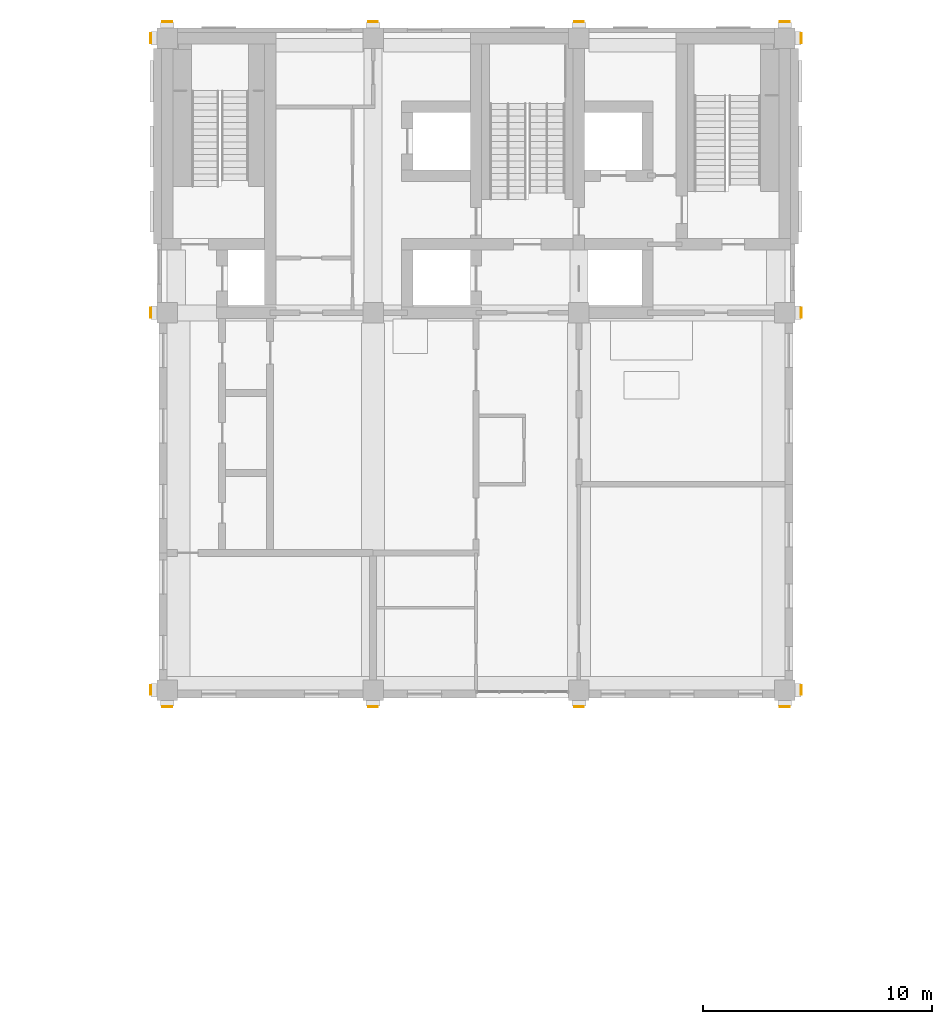
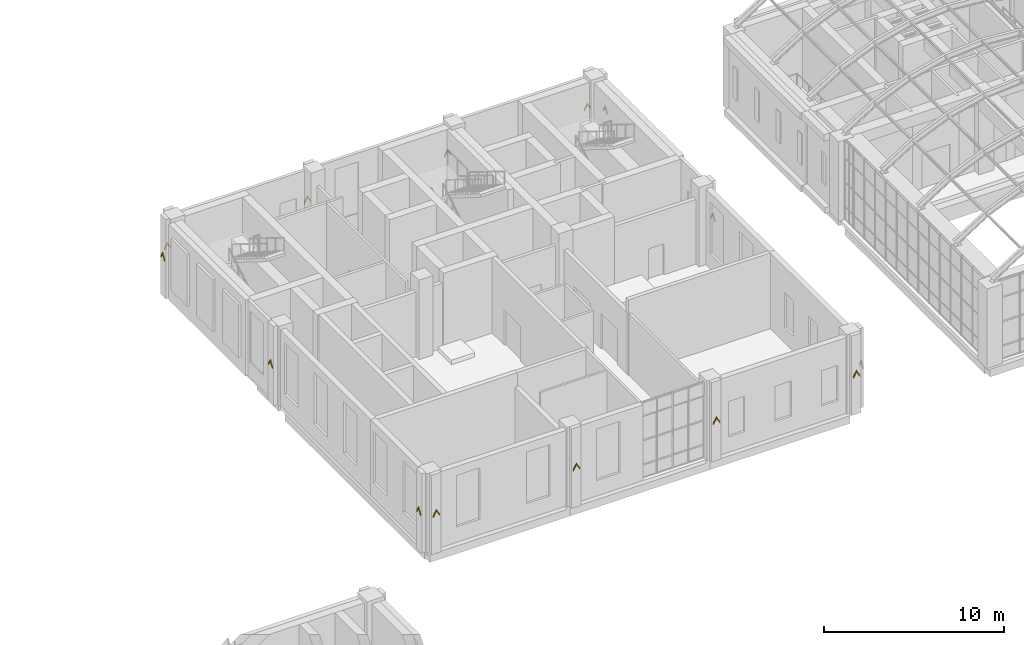
# One storey, part 39 of 39: 14 coverings.
"""IFC4 building model written with IfcOpenShell, lengths in metres."""

from ifc_helpers import new_model, si_unit, direction, frame, origin, place, context, subcontext, project, spatial, polyline, outline, extrude, material, layer, layer_set, type_object, element, save


model = new_model("IFC4")

# Units and contexts
model_context = context("Model", 3, precision=1e-05, world=origin(), true_north=direction((0.0, 1.0)))
body_context = subcontext(model_context, "Body", "Model", "MODEL_VIEW")
ifc_project = project(units=[si_unit("LENGTHUNIT", "METRE"), si_unit("AREAUNIT", "SQUARE_METRE"), si_unit("VOLUMEUNIT", "CUBIC_METRE"), si_unit("PLANEANGLEUNIT", "RADIAN"), si_unit("MASSUNIT", "GRAM", prefix="KILO")], contexts=[model_context])

# Site, building, storey
site_placement = place(None, origin())
site = spatial("IfcSite", under=ifc_project, at=site_placement, CompositionType="ELEMENT")
building_placement = place(site_placement, origin())
building = spatial("IfcBuilding", under=site, at=building_placement, Name="Aurelan Courthouse", CompositionType="ELEMENT")
storey_placement = place(building_placement, frame((0.0, 0.0, 28.199951171875)))
storey = spatial("IfcBuildingStorey", under=building, at=storey_placement, Name="L05", CompositionType="ELEMENT", Elevation=28.199951171875)

# Coverings
ifc_material = material(Name="Bronze sheet cladding")
ifc_layer = layer(ifc_material, 0.0400390625)
ifc_layer_set = layer_set([ifc_layer], Name="Bronze sheet cladding")
covering_type = type_object("IfcCoveringType", Name="Courtroom Block chevron relief 420 x 470", PredefinedType="CLADDING", material=ifc_layer_set)
for number, where, z_axis, x_axis, name in (
    (1, (36.0, 36.800048828125, -28.199951171875), (0.0, -1.0, 0.0), (1.0, 0.0, 0.0), "Chevron relief CH-V2-040"),
    (2, (45.0, 36.800048828125, -28.199951171875), (0.0, -1.0, 0.0), (1.0, 0.0, 0.0), "Chevron relief CH-V2-041"),
    (3, (54.0, 36.800048828125, -28.199951171875), (0.0, -1.0, 0.0), (1.0, 0.0, 0.0), "Chevron relief CH-V2-042"),
    (4, (63.0, 36.800048828125, -28.199951171875), (0.0, -1.0, 0.0), (1.0, 0.0, 0.0), "Chevron relief CH-V2-043"),
    (5, (36.0, 66.699951171875, -28.199951171875), (0.0, 1.0, 0.0), (-1.0, 0.0, 0.0), "Chevron relief CH-V2-044"),
    (6, (45.0, 66.699951171875, -28.199951171875), (0.0, 1.0, 0.0), (-1.0, 0.0, 0.0), "Chevron relief CH-V2-045"),
    (7, (54.0, 66.699951171875, -28.199951171875), (0.0, 1.0, 0.0), (-1.0, 0.0, 0.0), "Chevron relief CH-V2-046"),
    (8, (63.0, 66.699951171875, -28.199951171875), (0.0, 1.0, 0.0), (-1.0, 0.0, 0.0), "Chevron relief CH-V2-047"),
    (9, (63.699951171875, 37.5, -28.199951171875), (1.0, 0.0, 0.0), (0.0, 1.0, 0.0), "Chevron relief CH-V2-048"),
    (10, (63.699951171875, 54.0, -28.199951171875), (1.0, 0.0, 0.0), (0.0, 1.0, 0.0), "Chevron relief CH-V2-049"),
    (11, (63.699951171875, 66.0, -28.199951171875), (1.0, 0.0, 0.0), (0.0, 1.0, 0.0), "Chevron relief CH-V2-050"),
    (12, (35.300048828125, 37.5, -28.199951171875), (-1.0, 0.0, 0.0), (0.0, -1.0, 0.0), "Chevron relief CH-V2-051"),
    (13, (35.300048828125, 54.0, -28.199951171875), (-1.0, 0.0, 0.0), (0.0, -1.0, 0.0), "Chevron relief CH-V2-052"),
    (14, (35.300048828125, 66.0, -28.199951171875), (-1.0, 0.0, 0.0), (0.0, -1.0, 0.0), "Chevron relief CH-V2-053"),
):
    element("IfcCovering", number, at=place(storey_placement, frame(where, z_axis=z_axis, x_axis=x_axis)), inside=storey, type_object=covering_type, Name=name, PredefinedType="CLADDING", context=body_context, shape_type="SweptSolid", body=[
        extrude(outline(polyline([(-0.2099609375, 30.72509765625), (0.0, 31.074951171875), (0.2099609375, 30.72509765625), (0.2099609375, 30.844970703125), (0.0, 31.195068359375), (-0.2099609375, 30.844970703125), (-0.2099609375, 30.72509765625)])), origin(), (0.0, 0.0, 1.0), 0.0400390625),
    ])

save(model, "model.ifc")
